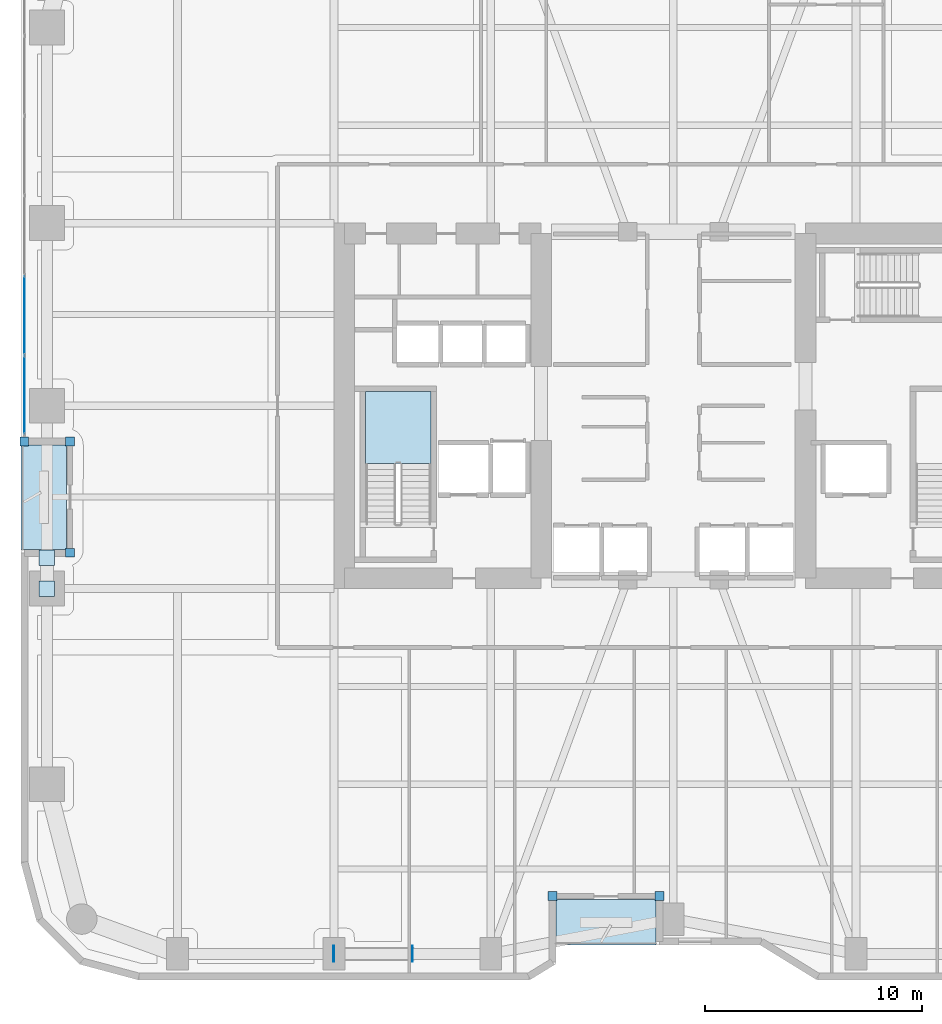
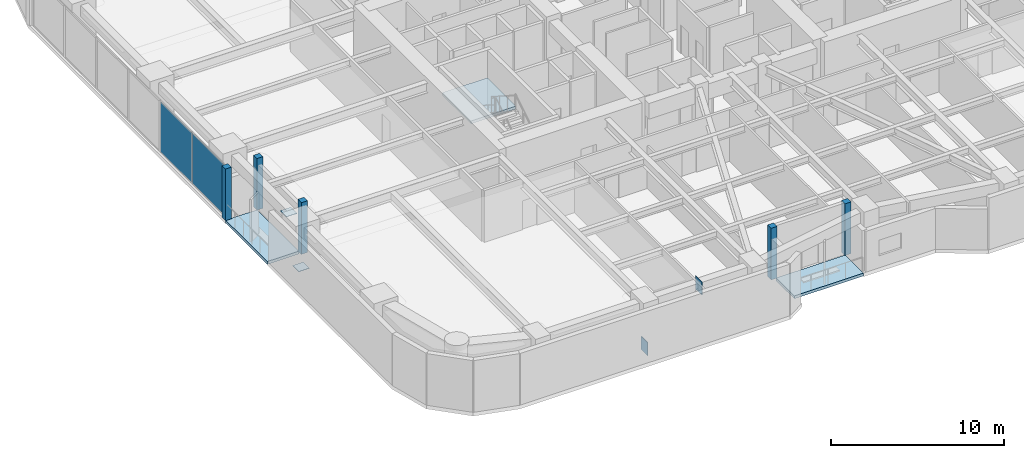
# One storey, part 19 of 29: 11 plates, 3 slabs, 2 elements without a shape of their own.
"""IFC4 building model written with IfcOpenShell, lengths in metres."""

from ifc_helpers import new_model, si_unit, direction, frame, origin, origin_2d, place, context, subcontext, project, spatial, polyline, rectangle, outline, extrude, material, layer, layer_set, type_object, element, aggregate, save


model = new_model("IFC4")

# Units and contexts
model_context = context("Model", 3, precision=1e-05, world=origin(), true_north=direction((0.0, 1.0)))
body_context = subcontext(model_context, "Body", "Model", "MODEL_VIEW")
ifc_project = project(units=[si_unit("LENGTHUNIT", "METRE"), si_unit("AREAUNIT", "SQUARE_METRE"), si_unit("VOLUMEUNIT", "CUBIC_METRE"), si_unit("PLANEANGLEUNIT", "RADIAN"), si_unit("MASSUNIT", "GRAM", prefix="KILO")], contexts=[model_context])

# Site, building, storey
site_placement = place(None, origin())
site = spatial("IfcSite", under=ifc_project, at=site_placement, CompositionType="ELEMENT")
building_placement = place(site_placement, origin())
building = spatial("IfcBuilding", under=site, at=building_placement, Name="Kiyonajd Concourse Tower", CompositionType="ELEMENT")
storey_placement = place(building_placement, frame((0.0, 0.0, 52.800048828125)))
storey = spatial("IfcBuildingStorey", under=building, at=storey_placement, Name="L14", CompositionType="ELEMENT", Elevation=52.800048828125)

# Plates
ifc_material_1 = material(Name="Steel ASTM A572 Grade 50", Category="steel")
ifc_layer_1 = layer(ifc_material_1, 0.028076171875)
ifc_layer_set_1 = layer_set([ifc_layer_1], Name="Steel ASTM A572 Grade 50")
plate_type_1 = type_object("IfcPlateType", Name="PL-CAP-450", PredefinedType="USERDEFINED", material=ifc_layer_set_1)
for number, where, z_axis, x_axis, name in (
    (1, (32.3916015625, 10.800048828125, -0.173583984375), (0.0, 0.0, 1.0), (-1.0, 0.0, 0.0), "L14 Hollow Brace End Cap Plate PBS"),
    (2, (36.008544921875, 10.800048828125, 2.830322265625), (0.0, 0.0, 1.0), (1.0, 0.0, 0.0), "L14 Hollow Brace Top Cap Plate PBS"),
):
    element("IfcPlate", number, at=place(storey_placement, frame(where, z_axis=z_axis, x_axis=x_axis)), inside=storey, type_object=plate_type_1, Name=name, ObjectType="CAP PLATE", PredefinedType="USERDEFINED", context=body_context, shape_type="SweptSolid", body=[
        extrude(rectangle(XDim=0.035888671875, YDim=0.72998046875, at=origin_2d()), origin(), (0.0, 0.0, 1.0), 0.93310546875),
    ])
for number, where, z_axis, x_axis, name in (
    (3, (19.199951171875, 27.59521484375, 0.27587890625), (0.0, 0.0, 1.0), (1.0, 0.0, 0.0), "L14 Hollow Brace End Cap Plate PBW"),
    (4, (19.199951171875, 29.004638671875, 3.2861328125), (0.0, 0.0, 1.0), (1.0, 0.0, 0.0), "L14 Hollow Brace Top Cap Plate PBW"),
):
    element("IfcPlate", number, at=place(storey_placement, frame(where, z_axis=z_axis, x_axis=x_axis)), inside=storey, type_object=plate_type_1, Name=name, ObjectType="CAP PLATE", PredefinedType="USERDEFINED", context=body_context, shape_type="SweptSolid", body=[
        extrude(rectangle(XDim=0.7099609375, YDim=0.7099609375, at=origin_2d()), origin(), (0.0, 0.0, 1.0), 0.028076171875),
    ])

# Curtain wall, plates
ifc_material_2 = material(Name="Thermally Broken Anodised Aluminium", Category="aluminium")
ifc_layer_2 = layer(ifc_material_2, 0.179931640625)
ifc_layer_set_2 = layer_set([ifc_layer_2], Name="Thermally Broken Anodised Aluminium")
curtain_wall_type = type_object("IfcCurtainWallType", Name="CW-SYS-02", PredefinedType="NOTDEFINED", material=ifc_layer_set_2)
curtain_wall_placement = place(storey_placement, origin())
curtain_wall = element("IfcCurtainWall", 5, at=curtain_wall_placement, inside=storey, type_object=curtain_wall_type, Name="L14 Unitised Curtain Wall CW2", PredefinedType="NOTDEFINED")
ifc_material_3 = material(Name="Double Low-E Insulated Glass", Category="glass")
ifc_layer_3 = layer(ifc_material_3, 0.028076171875)
ifc_layer_set_3 = layer_set([ifc_layer_3], Name="Double Low-E Insulated Glass")
plate_type_2 = type_object("IfcPlateType", Name="PL-CW-VIS28", PredefinedType="CURTAIN_PANEL", material=ifc_layer_set_3)
plate_1_placement = place(storey_placement, frame((18.159912109375, 36.5029296875, 0.06494140625), z_axis=(0.0, 0.0, 1.0), x_axis=(0.0, 1.0, 0.0)))
plate_1 = element("IfcPlate", 6, at=plate_1_placement, type_object=plate_type_2, Name="CW2 panel 1.1", PredefinedType="CURTAIN_PANEL", context=body_context, shape_type="SweptSolid", body=[
    extrude(rectangle(XDim=3.57568359375, YDim=0.028076171875, at=origin_2d()), origin(), (0.0, 0.0, 1.0), 3.510009765625),
])
plate_2_placement = place(storey_placement, frame((18.159912109375, 40.15966796875, 0.06494140625), z_axis=(0.0, 0.0, 1.0), x_axis=(0.0, 1.0, 0.0)))
plate_2 = element("IfcPlate", 7, at=plate_2_placement, type_object=plate_type_2, Name="CW2 panel 2.1", PredefinedType="CURTAIN_PANEL", context=body_context, shape_type="SweptSolid", body=[
    extrude(rectangle(XDim=3.608154296875, YDim=0.028076171875, at=origin_2d()), origin(), (0.0, 0.0, 1.0), 3.510009765625),
])
aggregate(curtain_wall, [plate_1, plate_2])

# Plates
ifc_layer_4 = layer(ifc_material_2, 0.39990234375)
ifc_layer_set_4 = layer_set([ifc_layer_4], Name="Thermally Broken Anodised Aluminium")
plate_type_3 = type_object("IfcPlateType", Name="PL-JMB-400", PredefinedType="USERDEFINED", material=ifc_layer_set_4)
for number, where, z_axis, x_axis, name in (
    (8, (20.260009765625, 29.239990234375, 0.0), (0.0, 0.0, 1.0), (1.0, 0.0, 0.0), "L14 Facade Jamb Closure Plate 01"),
    (9, (20.260009765625, 34.360107421875, 0.0), (0.0, 0.0, 1.0), (1.0, 0.0, 0.0), "L14 Facade Jamb Closure Plate 02"),
    (10, (18.159912109375, 34.360107421875, 0.0), (0.0, 0.0, 1.0), (1.0, 0.0, 0.0), "L14 Facade Jamb Closure Plate 03"),
    (11, (47.360107421875, 13.4599609375, 0.0), (0.0, 0.0, 1.0), (1.0, 0.0, 0.0), "L14 Facade Jamb Closure Plate 13"),
    (12, (42.43994140625, 13.4599609375, 0.0), (0.0, 0.0, 1.0), (1.0, 0.0, 0.0), "L14 Facade Jamb Closure Plate 14"),
):
    element("IfcPlate", number, at=place(storey_placement, frame(where, z_axis=z_axis, x_axis=x_axis)), inside=storey, type_object=plate_type_3, Name=name, ObjectType="JAMB PLATE", PredefinedType="USERDEFINED", context=body_context, shape_type="SweptSolid", body=[
        extrude(rectangle(XDim=0.39990234375, YDim=0.39990234375, at=origin_2d()), origin(), (0.0, 0.0, 1.0), 3.639892578125),
    ])

# Stair, slab
ifc_material_4 = material(Name="Concrete C40/50", Category="concrete")
stair_type = type_object("IfcStairType", Name="ST-DLG-22R", PredefinedType="HALF_TURN_STAIR", material=ifc_material_4)
stair_placement = place(storey_placement, origin())
stair = element("IfcStair", 13, at=stair_placement, inside=storey, type_object=stair_type, Name="L14 Protected Exit Stair ST1", PredefinedType="HALF_TURN_STAIR")
ifc_layer_5 = layer(ifc_material_4, 0.199951171875)
ifc_layer_set_5 = layer_set([ifc_layer_5], Name="Concrete C40/50")
slab_type_1 = type_object("IfcSlabType", Name="SL-LND-200", PredefinedType="LANDING", material=ifc_layer_set_5)
slab_1_placement = place(storey_placement, frame((0.0, 0.0, 1.75)))
slab_1 = element("IfcSlab", 14, at=slab_1_placement, type_object=slab_type_1, Name="ST1 landing 1", PredefinedType="LANDING", context=body_context, shape_type="SweptSolid", body=[
    extrude(outline(polyline([(36.85009765625, 33.35009765625), (36.85009765625, 36.64990234375), (33.85009765625, 36.64990234375), (33.85009765625, 33.35009765625), (36.85009765625, 33.35009765625)])), origin(), (0.0, 0.0, 1.0), 0.199951171875),
])
aggregate(stair, [slab_1])

# Slabs
ifc_material_5 = material(Name="Precast concrete C50/60", Category="concrete")
ifc_layer_6 = layer(ifc_material_5, 0.199951171875)
ifc_layer_set_6 = layer_set([ifc_layer_6], Name="Precast concrete C50/60")
slab_type_2 = type_object("IfcSlabType", Name="SL-LOG-200", PredefinedType="FLOOR", material=ifc_layer_set_6)
slab_2_placement = place(storey_placement, frame((0.0, 0.0, -0.199951171875)))
element("IfcSlab", 15, at=slab_2_placement, inside=storey, type_object=slab_type_2, Name="L14 Recessed Engawa Loggia Terrace Slab LOG-S", PredefinedType="FLOOR", context=body_context, shape_type="SweptSolid", body=[
    extrude(outline(polyline([(42.60009765625, 11.199951171875), (47.199951171875, 11.199951171875), (47.199951171875, 13.300048828125), (42.60009765625, 13.300048828125), (42.60009765625, 11.199951171875)])), origin(), (0.0, 0.0, 1.0), 0.199951171875),
])
slab_3_placement = place(storey_placement, frame((0.0, 0.0, -0.199951171875)))
element("IfcSlab", 16, at=slab_3_placement, inside=storey, type_object=slab_type_2, Name="L14 Recessed Engawa Loggia Terrace Slab LOG-W", PredefinedType="FLOOR", context=body_context, shape_type="SweptSolid", body=[
    extrude(outline(polyline([(18.0, 29.39990234375), (20.10009765625, 29.39990234375), (20.10009765625, 34.199951171875), (18.0, 34.199951171875), (18.0, 29.39990234375)])), origin(), (0.0, 0.0, 1.0), 0.199951171875),
])

save(model, "model.ifc")
